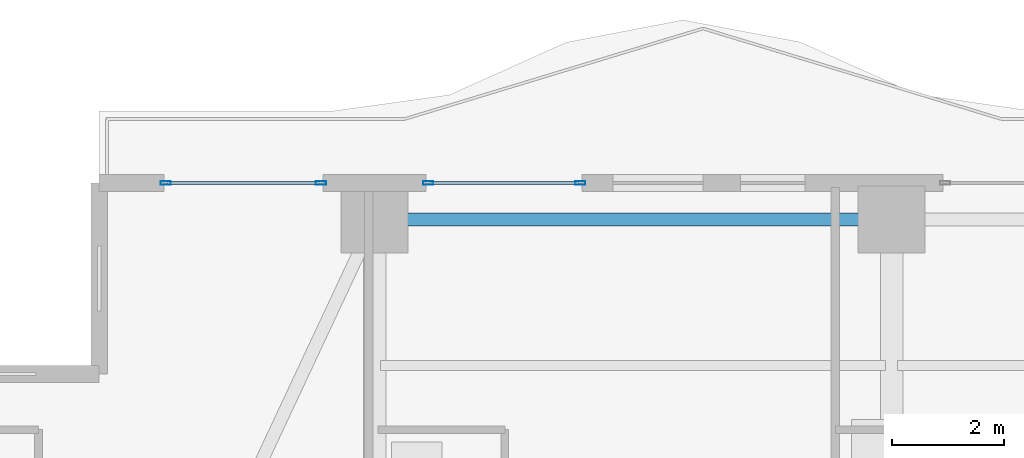
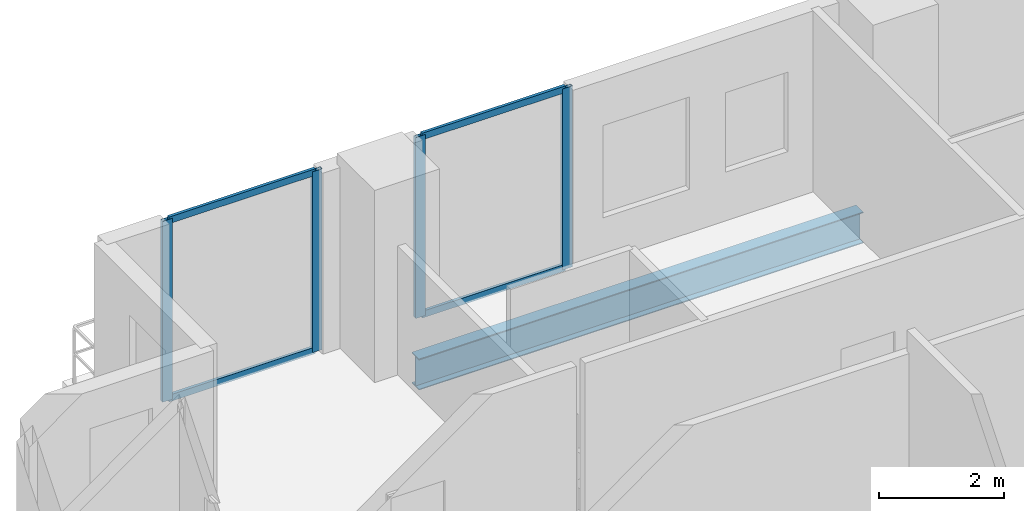
# One storey, part 17 of 32: 8 members, 1 beam, 2 elements without a shape of their own.
"""IFC4 building model written with IfcOpenShell, lengths in metres."""

from ifc_helpers import new_model, si_unit, direction, frame, origin, origin_2d, place, context, subcontext, project, spatial, hollow_rectangle, i_section, extrude, material, layer, layer_set, material_profile, profile_set, type_object, element, aggregate, save


model = new_model("IFC4")

# Units and contexts
model_context = context("Model", 3, precision=1e-05, world=origin(), true_north=direction((0.0, 1.0)))
body_context = subcontext(model_context, "Body", "Model", "MODEL_VIEW")
ifc_project = project(units=[si_unit("LENGTHUNIT", "METRE"), si_unit("AREAUNIT", "SQUARE_METRE"), si_unit("VOLUMEUNIT", "CUBIC_METRE"), si_unit("PLANEANGLEUNIT", "RADIAN"), si_unit("MASSUNIT", "GRAM", prefix="KILO")], contexts=[model_context])

# Site, building, storey
site_placement = place(None, origin())
site = spatial("IfcSite", under=ifc_project, at=site_placement, CompositionType="ELEMENT")
building_placement = place(site_placement, origin())
building = spatial("IfcBuilding", under=site, at=building_placement, Name="Zuhayl Quay Hotel", CompositionType="ELEMENT")
storey_placement = place(building_placement, frame((0.0, 0.0, 192.39990234375)))
storey = spatial("IfcBuildingStorey", under=building, at=storey_placement, Name="L48", CompositionType="ELEMENT", Elevation=192.39990234375)

# Beam
ifc_material_1 = material(Name="Steel ASTM A992 Grade 50", Category="steel")
ifc_material_profile_1 = material_profile(ifc_material_1, i_section(OverallWidth=0.22802734375, OverallDepth=0.60693359375, WebThickness=0.01123046875, FlangeThickness=0.017333984375, at=origin_2d()), Name="W24X76")
ifc_profile_set_1 = profile_set([ifc_material_profile_1], Name="Steel ASTM A992 Grade 50")
beam_type = type_object("IfcBeamType", Name="BM_B3_W24X76", PredefinedType="BEAM", material=ifc_profile_set_1)
beam_placement = place(storey_placement, frame((-5.10009765625, 32.949951171875, -0.5234375), z_axis=(-1.0, 0.0, 0.0), x_axis=(0.0, -1.0, 0.0)))
element("IfcBeam", 1, at=beam_placement, inside=storey, type_object=beam_type, Name="L48 Floor Beam RG_L48_09", PredefinedType="BEAM", context=body_context, shape_type="SweptSolid", body=[
    extrude(i_section(OverallWidth=0.22802734375, OverallDepth=0.60693359375, WebThickness=0.01123046875, FlangeThickness=0.017333984375, at=origin_2d()), origin(), (0.0, 0.0, 1.0), 8.199951171875),
])

# Curtain wall, members
ifc_material_2 = material(Name="Anodised Aluminium 6063-T6", Category="aluminium")
ifc_layer = layer(ifc_material_2, 0.175048828125, Name="Anodised Aluminium 6063-T6", Category="aluminium")
ifc_layer_set = layer_set([ifc_layer], Name="Anodised Aluminium 6063-T6")
curtain_wall_type = type_object("IfcCurtainWallType", Name="CW_SYS_Z3", PredefinedType="USERDEFINED", material=ifc_layer_set)
curtain_wall_1_placement = place(storey_placement, origin())
curtain_wall_1 = element("IfcCurtainWall", 2, at=curtain_wall_1_placement, inside=storey, type_object=curtain_wall_type, Name="L48 Curtain Wall ENV_L48_N_CW1", ObjectType="UNITISED CURTAIN WALL", PredefinedType="USERDEFINED")
ifc_material_3 = material(Name="Black-anodised aluminium 6063-T6", Category="aluminium")
ifc_material_profile_2 = material_profile(ifc_material_3, hollow_rectangle(XDim=0.06494140625, YDim=0.179931640625, WallThickness=0.00341796875, at=origin_2d()), Name="ALU180X65")
ifc_profile_set_2 = profile_set([ifc_material_profile_2], Name="Black-anodised aluminium 6063-T6")
member_type_1 = type_object("IfcMemberType", Name="MB_CW_MUL_180", PredefinedType="MULLION", material=ifc_profile_set_2)
member_1_placement = place(storey_placement, frame((-17.517578125, 33.60009765625, 0.0), z_axis=(0.0, 0.0, 1.0), x_axis=(0.0, 1.0, 0.0)))
member_1 = element("IfcMember", 3, at=member_1_placement, type_object=member_type_1, Name="CW-Z3 mullion 1", PredefinedType="MULLION", context=body_context, shape_type="SweptSolid", body=[
    extrude(hollow_rectangle(XDim=0.06494140625, YDim=0.179931640625, WallThickness=0.00341796875, at=origin_2d()), origin(), (0.0, 0.0, 1.0), 3.530029296875),
])
member_2_placement = place(storey_placement, frame((-14.75244140625, 33.60009765625, 0.0), z_axis=(0.0, 0.0, 1.0), x_axis=(0.0, 1.0, 0.0)))
member_2 = element("IfcMember", 4, at=member_2_placement, type_object=member_type_1, Name="CW-Z3 mullion 2", PredefinedType="MULLION", context=body_context, shape_type="SweptSolid", body=[
    extrude(hollow_rectangle(XDim=0.06494140625, YDim=0.179931640625, WallThickness=0.00341796875, at=origin_2d()), origin(), (0.0, 0.0, 1.0), 3.530029296875),
])

curtain_wall_2_placement = place(storey_placement, origin())
curtain_wall_2 = element("IfcCurtainWall", 5, at=curtain_wall_2_placement, inside=storey, type_object=curtain_wall_type, Name="L48 Curtain Wall ENV_L48_N_CW2", ObjectType="UNITISED CURTAIN WALL", PredefinedType="USERDEFINED")
member_3_placement = place(storey_placement, frame((-12.847412109375, 33.60009765625, 0.0), z_axis=(0.0, 0.0, 1.0), x_axis=(0.0, 1.0, 0.0)))
member_3 = element("IfcMember", 6, at=member_3_placement, type_object=member_type_1, Name="CW-Z3 mullion 1", PredefinedType="MULLION", context=body_context, shape_type="SweptSolid", body=[
    extrude(hollow_rectangle(XDim=0.06494140625, YDim=0.179931640625, WallThickness=0.00341796875, at=origin_2d()), origin(), (0.0, 0.0, 1.0), 3.530029296875),
])
member_4_placement = place(storey_placement, frame((-10.136474609375, 33.60009765625, 0.0), z_axis=(0.0, 0.0, 1.0), x_axis=(0.0, 1.0, 0.0)))
member_4 = element("IfcMember", 7, at=member_4_placement, type_object=member_type_1, Name="CW-Z3 mullion 2", PredefinedType="MULLION", context=body_context, shape_type="SweptSolid", body=[
    extrude(hollow_rectangle(XDim=0.06494140625, YDim=0.179931640625, WallThickness=0.00341796875, at=origin_2d()), origin(), (0.0, 0.0, 1.0), 3.530029296875),
])

# Member
ifc_material_profile_3 = material_profile(ifc_material_3, hollow_rectangle(XDim=0.054931640625, YDim=0.1298828125, WallThickness=0.0029296875, at=origin_2d()), Name="ALU130X55")
ifc_profile_set_3 = profile_set([ifc_material_profile_3], Name="Black-anodised aluminium 6063-T6")
member_type_2 = type_object("IfcMemberType", Name="MB_CW_TRN_130", PredefinedType="USERDEFINED", material=ifc_profile_set_3)
member_5_placement = place(storey_placement, frame((-17.485107421875, 33.60009765625, 0.027587890625), z_axis=(1.0, 0.0, 0.0), x_axis=(0.0, 1.0, 0.0)))
member_5 = element("IfcMember", 8, at=member_5_placement, type_object=member_type_2, Name="CW-Z3 transom 1.1", ObjectType="TRANSOM", PredefinedType="USERDEFINED", context=body_context, shape_type="SweptSolid", body=[
    extrude(hollow_rectangle(XDim=0.054931640625, YDim=0.1298828125, WallThickness=0.0029296875, at=origin_2d()), origin(), (0.0, 0.0, 1.0), 2.7001953125),
])

member_6_placement = place(storey_placement, frame((-17.485107421875, 33.60009765625, 3.502685546875), z_axis=(1.0, 0.0, 0.0), x_axis=(0.0, 1.0, 0.0)))
member_6 = element("IfcMember", 9, at=member_6_placement, type_object=member_type_2, Name="CW-Z3 transom 1.2", ObjectType="TRANSOM", PredefinedType="USERDEFINED", context=body_context, shape_type="SweptSolid", body=[
    extrude(hollow_rectangle(XDim=0.054931640625, YDim=0.1298828125, WallThickness=0.0029296875, at=origin_2d()), origin(), (0.0, 0.0, 1.0), 2.7001953125),
])

aggregate(curtain_wall_1, [member_1, member_2, member_5, member_6])

member_7_placement = place(storey_placement, frame((-12.81494140625, 33.60009765625, 0.027587890625), z_axis=(1.0, 0.0, 0.0), x_axis=(0.0, 1.0, 0.0)))
member_7 = element("IfcMember", 10, at=member_7_placement, type_object=member_type_2, Name="CW-Z3 transom 1.1", ObjectType="TRANSOM", PredefinedType="USERDEFINED", context=body_context, shape_type="SweptSolid", body=[
    extrude(hollow_rectangle(XDim=0.054931640625, YDim=0.1298828125, WallThickness=0.0029296875, at=origin_2d()), origin(), (0.0, 0.0, 1.0), 2.64599609375),
])

member_8_placement = place(storey_placement, frame((-12.81494140625, 33.60009765625, 3.502685546875), z_axis=(1.0, 0.0, 0.0), x_axis=(0.0, 1.0, 0.0)))
member_8 = element("IfcMember", 11, at=member_8_placement, type_object=member_type_2, Name="CW-Z3 transom 1.2", ObjectType="TRANSOM", PredefinedType="USERDEFINED", context=body_context, shape_type="SweptSolid", body=[
    extrude(hollow_rectangle(XDim=0.054931640625, YDim=0.1298828125, WallThickness=0.0029296875, at=origin_2d()), origin(), (0.0, 0.0, 1.0), 2.64599609375),
])

aggregate(curtain_wall_2, [member_3, member_4, member_7, member_8])

save(model, "model.ifc")
